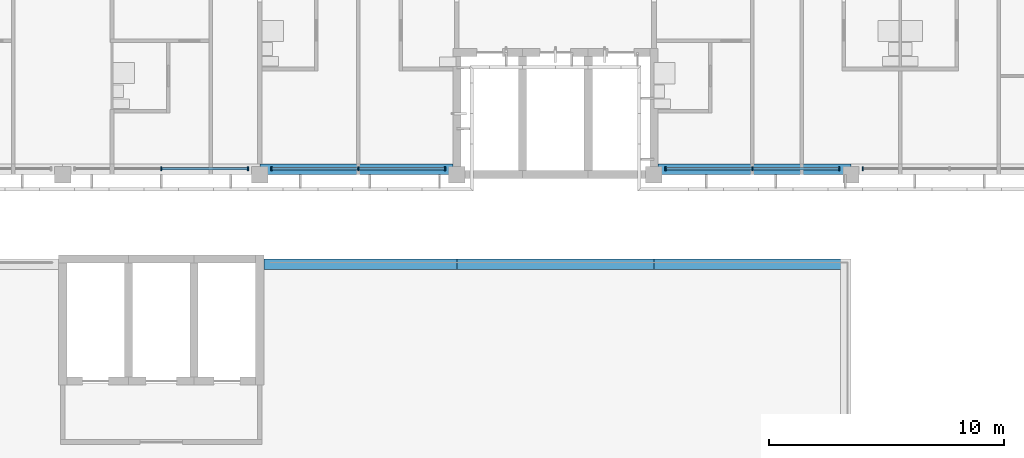
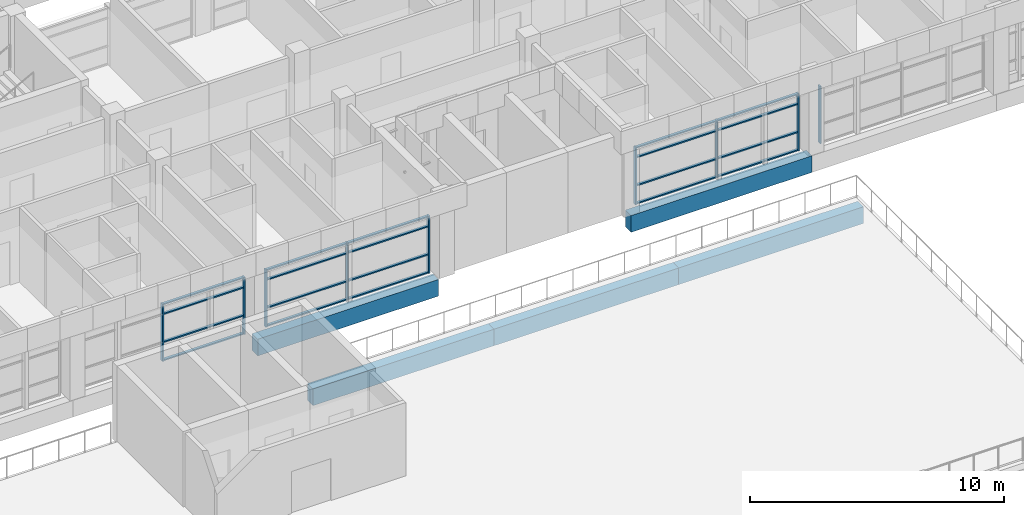
# One storey, part 10 of 46: 29 members, 5 beams, 4 elements without a shape of their own.
"""IFC4 building model written with IfcOpenShell, lengths in metres."""

from ifc_helpers import new_model, si_unit, direction, frame, origin, origin_2d, place, context, subcontext, project, spatial, rectangle, extrude, material, material_profile, profile_set, type_object, element, aggregate, save


model = new_model("IFC4")

# Units and contexts
model_context = context("Model", 3, precision=1e-05, world=origin(), true_north=direction((0.0, 1.0)))
body_context = subcontext(model_context, "Body", "Model", "MODEL_VIEW")
ifc_project = project(units=[si_unit("LENGTHUNIT", "METRE"), si_unit("AREAUNIT", "SQUARE_METRE"), si_unit("VOLUMEUNIT", "CUBIC_METRE"), si_unit("PLANEANGLEUNIT", "RADIAN"), si_unit("MASSUNIT", "GRAM", prefix="KILO")], contexts=[model_context])

# Site, building, storey
site_placement = place(None, origin())
site = spatial("IfcSite", under=ifc_project, at=site_placement, CompositionType="ELEMENT")
building_placement = place(site_placement, origin())
building = spatial("IfcBuilding", under=site, at=building_placement, Name="Bougainvillea Quay General Hospital", CompositionType="ELEMENT")
storey_placement = place(building_placement, frame((0.0, 0.0, 28.800048828125)))
storey = spatial("IfcBuildingStorey", under=building, at=storey_placement, Name="L06", CompositionType="ELEMENT", Elevation=28.800048828125)

# Curtain wall, members
ifc_material_1 = material(Name="Aluminium curtain wall system, powder-coated glazed", Category="aluminium")
curtain_wall_type = type_object("IfcCurtainWallType", Name="Unitised curtain wall CW-3730", PredefinedType="NOTDEFINED", material=ifc_material_1)
curtain_wall_1_placement = place(storey_placement, origin())
curtain_wall_1 = element("IfcCurtainWall", 1, at=curtain_wall_1_placement, inside=storey, type_object=curtain_wall_type, Name="CW-4200 07", PredefinedType="NOTDEFINED")
ifc_material_2 = material(Name="Aluminium mullion, powder-coated charcoal", Category="aluminium")
ifc_material_profile_1 = material_profile(ifc_material_2, rectangle(XDim=0.159912109375, YDim=0.06005859375, at=origin_2d()))
ifc_profile_set_1 = profile_set([ifc_material_profile_1], Name="Aluminium mullion, powder-coated charcoal")
member_type_1 = type_object("IfcMemberType", Name="Curtain wall mullion 160x60", PredefinedType="MULLION", material=ifc_profile_set_1)
member_1_placement = place(storey_placement, frame((138.60009765625, 140.64990234375, 0.0), z_axis=(0.0, 0.0, 1.0), x_axis=(0.0, 1.0, 0.0)))
member_1 = element("IfcMember", 2, at=member_1_placement, type_object=member_type_1, Name="CW-4200 mullion 2", PredefinedType="MULLION", context=body_context, shape_type="SweptSolid", body=[
    extrude(rectangle(XDim=0.159912109375, YDim=0.06005859375, at=origin_2d()), origin(), (0.0, 0.0, 1.0), 2.75),
])
member_2_placement = place(storey_placement, frame((142.300048828125, 140.64990234375, 0.0), z_axis=(0.0, 0.0, 1.0), x_axis=(0.0, 1.0, 0.0)))
member_2 = element("IfcMember", 3, at=member_2_placement, type_object=member_type_1, Name="CW-4200 mullion 3", PredefinedType="MULLION", context=body_context, shape_type="SweptSolid", body=[
    extrude(rectangle(XDim=0.159912109375, YDim=0.06005859375, at=origin_2d()), origin(), (0.0, 0.0, 1.0), 2.75),
])

curtain_wall_2_placement = place(storey_placement, origin())
curtain_wall_2 = element("IfcCurtainWall", 4, at=curtain_wall_2_placement, inside=storey, type_object=curtain_wall_type, Name="CW-4200 08", PredefinedType="NOTDEFINED")
member_3_placement = place(storey_placement, frame((143.300048828125, 140.64990234375, 0.0), z_axis=(0.0, 0.0, 1.0), x_axis=(0.0, 1.0, 0.0)))
member_3 = element("IfcMember", 5, at=member_3_placement, type_object=member_type_1, Name="CW-4200 mullion 1", PredefinedType="MULLION", context=body_context, shape_type="SweptSolid", body=[
    extrude(rectangle(XDim=0.159912109375, YDim=0.06005859375, at=origin_2d()), origin(), (0.0, 0.0, 1.0), 2.75),
])
member_4_placement = place(storey_placement, frame((147.0, 140.64990234375, 0.0), z_axis=(0.0, 0.0, 1.0), x_axis=(0.0, 1.0, 0.0)))
member_4 = element("IfcMember", 6, at=member_4_placement, type_object=member_type_1, Name="CW-4200 mullion 2", PredefinedType="MULLION", context=body_context, shape_type="SweptSolid", body=[
    extrude(rectangle(XDim=0.159912109375, YDim=0.06005859375, at=origin_2d()), origin(), (0.0, 0.0, 1.0), 2.75),
])
member_5_placement = place(storey_placement, frame((150.699951171875, 140.64990234375, 0.0), z_axis=(0.0, 0.0, 1.0), x_axis=(0.0, 1.0, 0.0)))
member_5 = element("IfcMember", 7, at=member_5_placement, type_object=member_type_1, Name="CW-4200 mullion 3", PredefinedType="MULLION", context=body_context, shape_type="SweptSolid", body=[
    extrude(rectangle(XDim=0.159912109375, YDim=0.06005859375, at=origin_2d()), origin(), (0.0, 0.0, 1.0), 2.75),
])

curtain_wall_3_placement = place(storey_placement, origin())
curtain_wall_3 = element("IfcCurtainWall", 8, at=curtain_wall_3_placement, inside=storey, type_object=curtain_wall_type, Name="CW-4200 00", PredefinedType="NOTDEFINED")
member_6_placement = place(storey_placement, frame((160.10009765625, 140.64990234375, 0.0), z_axis=(0.0, 0.0, 1.0), x_axis=(0.0, 1.0, 0.0)))
member_6 = element("IfcMember", 9, at=member_6_placement, type_object=member_type_1, Name="CW-4200 mullion 1", PredefinedType="MULLION", context=body_context, shape_type="SweptSolid", body=[
    extrude(rectangle(XDim=0.159912109375, YDim=0.06005859375, at=origin_2d()), origin(), (0.0, 0.0, 1.0), 2.75),
])
member_7_placement = place(storey_placement, frame((163.800048828125, 140.64990234375, 0.0), z_axis=(0.0, 0.0, 1.0), x_axis=(0.0, 1.0, 0.0)))
member_7 = element("IfcMember", 10, at=member_7_placement, type_object=member_type_1, Name="CW-4200 mullion 2", PredefinedType="MULLION", context=body_context, shape_type="SweptSolid", body=[
    extrude(rectangle(XDim=0.159912109375, YDim=0.06005859375, at=origin_2d()), origin(), (0.0, 0.0, 1.0), 2.75),
])
member_8_placement = place(storey_placement, frame((167.5, 140.64990234375, 0.0), z_axis=(0.0, 0.0, 1.0), x_axis=(0.0, 1.0, 0.0)))
member_8 = element("IfcMember", 11, at=member_8_placement, type_object=member_type_1, Name="CW-4200 mullion 3", PredefinedType="MULLION", context=body_context, shape_type="SweptSolid", body=[
    extrude(rectangle(XDim=0.159912109375, YDim=0.06005859375, at=origin_2d()), origin(), (0.0, 0.0, 1.0), 2.75),
])

# Curtain wall, member
curtain_wall_4_placement = place(storey_placement, origin())
curtain_wall_4 = element("IfcCurtainWall", 12, at=curtain_wall_4_placement, inside=storey, type_object=curtain_wall_type, Name="CW-4200 01", PredefinedType="NOTDEFINED")
member_9_placement = place(storey_placement, frame((168.5, 140.64990234375, 0.0), z_axis=(0.0, 0.0, 1.0), x_axis=(0.0, 1.0, 0.0)))
member_9 = element("IfcMember", 13, at=member_9_placement, type_object=member_type_1, Name="CW-4200 mullion 1", PredefinedType="MULLION", context=body_context, shape_type="SweptSolid", body=[
    extrude(rectangle(XDim=0.159912109375, YDim=0.06005859375, at=origin_2d()), origin(), (0.0, 0.0, 1.0), 2.75),
])
aggregate(curtain_wall_4, [member_9])

# Member
ifc_material_3 = material(Name="Aluminium transom, powder-coated charcoal", Category="aluminium")
ifc_material_profile_2 = material_profile(ifc_material_3, rectangle(XDim=0.1201171875, YDim=0.06005859375, at=origin_2d()))
ifc_profile_set_2 = profile_set([ifc_material_profile_2], Name="Aluminium transom, powder-coated charcoal")
member_type_2 = type_object("IfcMemberType", Name="Curtain wall transom 120x60", PredefinedType="USERDEFINED", material=ifc_profile_set_2)
member_10_placement = place(storey_placement, frame((138.6298828125, 140.64990234375, 0.030029296875), z_axis=(1.0, 0.0, 0.0), x_axis=(0.0, 1.0, 0.0)))
member_10 = element("IfcMember", 14, at=member_10_placement, type_object=member_type_2, Name="CW-4200 transom 2.1", ObjectType="TRANSOM", PredefinedType="USERDEFINED", context=body_context, shape_type="SweptSolid", body=[
    extrude(rectangle(XDim=0.1201171875, YDim=0.06005859375, at=origin_2d()), origin(), (0.0, 0.0, 1.0), 3.64013671875),
])

member_11_placement = place(storey_placement, frame((138.6298828125, 140.64990234375, 0.89990234375), z_axis=(1.0, 0.0, 0.0), x_axis=(0.0, 1.0, 0.0)))
member_11 = element("IfcMember", 15, at=member_11_placement, type_object=member_type_2, Name="CW-4200 transom 2.2", ObjectType="TRANSOM", PredefinedType="USERDEFINED", context=body_context, shape_type="SweptSolid", body=[
    extrude(rectangle(XDim=0.1201171875, YDim=0.06005859375, at=origin_2d()), origin(), (0.0, 0.0, 1.0), 3.64013671875),
])

member_12_placement = place(storey_placement, frame((138.6298828125, 140.64990234375, 2.25), z_axis=(1.0, 0.0, 0.0), x_axis=(0.0, 1.0, 0.0)))
member_12 = element("IfcMember", 16, at=member_12_placement, type_object=member_type_2, Name="CW-4200 transom 2.3", ObjectType="TRANSOM", PredefinedType="USERDEFINED", context=body_context, shape_type="SweptSolid", body=[
    extrude(rectangle(XDim=0.1201171875, YDim=0.06005859375, at=origin_2d()), origin(), (0.0, 0.0, 1.0), 3.64013671875),
])

member_13_placement = place(storey_placement, frame((138.6298828125, 140.64990234375, 2.719970703125), z_axis=(1.0, 0.0, 0.0), x_axis=(0.0, 1.0, 0.0)))
member_13 = element("IfcMember", 17, at=member_13_placement, type_object=member_type_2, Name="CW-4200 transom 2.4", ObjectType="TRANSOM", PredefinedType="USERDEFINED", context=body_context, shape_type="SweptSolid", body=[
    extrude(rectangle(XDim=0.1201171875, YDim=0.06005859375, at=origin_2d()), origin(), (0.0, 0.0, 1.0), 3.64013671875),
])

aggregate(curtain_wall_1, [member_1, member_2, member_10, member_11, member_12, member_13])

member_14_placement = place(storey_placement, frame((143.330078125, 140.64990234375, 0.030029296875), z_axis=(1.0, 0.0, 0.0), x_axis=(0.0, 1.0, 0.0)))
member_14 = element("IfcMember", 18, at=member_14_placement, type_object=member_type_2, Name="CW-4200 transom 1.1", ObjectType="TRANSOM", PredefinedType="USERDEFINED", context=body_context, shape_type="SweptSolid", body=[
    extrude(rectangle(XDim=0.1201171875, YDim=0.06005859375, at=origin_2d()), origin(), (0.0, 0.0, 1.0), 3.639892578125),
])

member_15_placement = place(storey_placement, frame((143.330078125, 140.64990234375, 0.89990234375), z_axis=(1.0, 0.0, 0.0), x_axis=(0.0, 1.0, 0.0)))
member_15 = element("IfcMember", 19, at=member_15_placement, type_object=member_type_2, Name="CW-4200 transom 1.2", ObjectType="TRANSOM", PredefinedType="USERDEFINED", context=body_context, shape_type="SweptSolid", body=[
    extrude(rectangle(XDim=0.1201171875, YDim=0.06005859375, at=origin_2d()), origin(), (0.0, 0.0, 1.0), 3.639892578125),
])

member_16_placement = place(storey_placement, frame((143.330078125, 140.64990234375, 2.25), z_axis=(1.0, 0.0, 0.0), x_axis=(0.0, 1.0, 0.0)))
member_16 = element("IfcMember", 20, at=member_16_placement, type_object=member_type_2, Name="CW-4200 transom 1.3", ObjectType="TRANSOM", PredefinedType="USERDEFINED", context=body_context, shape_type="SweptSolid", body=[
    extrude(rectangle(XDim=0.1201171875, YDim=0.06005859375, at=origin_2d()), origin(), (0.0, 0.0, 1.0), 3.639892578125),
])

member_17_placement = place(storey_placement, frame((143.330078125, 140.64990234375, 2.719970703125), z_axis=(1.0, 0.0, 0.0), x_axis=(0.0, 1.0, 0.0)))
member_17 = element("IfcMember", 21, at=member_17_placement, type_object=member_type_2, Name="CW-4200 transom 1.4", ObjectType="TRANSOM", PredefinedType="USERDEFINED", context=body_context, shape_type="SweptSolid", body=[
    extrude(rectangle(XDim=0.1201171875, YDim=0.06005859375, at=origin_2d()), origin(), (0.0, 0.0, 1.0), 3.639892578125),
])

member_18_placement = place(storey_placement, frame((147.030029296875, 140.64990234375, 0.030029296875), z_axis=(1.0, 0.0, 0.0), x_axis=(0.0, 1.0, 0.0)))
member_18 = element("IfcMember", 22, at=member_18_placement, type_object=member_type_2, Name="CW-4200 transom 2.1", ObjectType="TRANSOM", PredefinedType="USERDEFINED", context=body_context, shape_type="SweptSolid", body=[
    extrude(rectangle(XDim=0.1201171875, YDim=0.06005859375, at=origin_2d()), origin(), (0.0, 0.0, 1.0), 3.639892578125),
])

member_19_placement = place(storey_placement, frame((147.030029296875, 140.64990234375, 0.89990234375), z_axis=(1.0, 0.0, 0.0), x_axis=(0.0, 1.0, 0.0)))
member_19 = element("IfcMember", 23, at=member_19_placement, type_object=member_type_2, Name="CW-4200 transom 2.2", ObjectType="TRANSOM", PredefinedType="USERDEFINED", context=body_context, shape_type="SweptSolid", body=[
    extrude(rectangle(XDim=0.1201171875, YDim=0.06005859375, at=origin_2d()), origin(), (0.0, 0.0, 1.0), 3.639892578125),
])

member_20_placement = place(storey_placement, frame((147.030029296875, 140.64990234375, 2.25), z_axis=(1.0, 0.0, 0.0), x_axis=(0.0, 1.0, 0.0)))
member_20 = element("IfcMember", 24, at=member_20_placement, type_object=member_type_2, Name="CW-4200 transom 2.3", ObjectType="TRANSOM", PredefinedType="USERDEFINED", context=body_context, shape_type="SweptSolid", body=[
    extrude(rectangle(XDim=0.1201171875, YDim=0.06005859375, at=origin_2d()), origin(), (0.0, 0.0, 1.0), 3.639892578125),
])

member_21_placement = place(storey_placement, frame((147.030029296875, 140.64990234375, 2.719970703125), z_axis=(1.0, 0.0, 0.0), x_axis=(0.0, 1.0, 0.0)))
member_21 = element("IfcMember", 25, at=member_21_placement, type_object=member_type_2, Name="CW-4200 transom 2.4", ObjectType="TRANSOM", PredefinedType="USERDEFINED", context=body_context, shape_type="SweptSolid", body=[
    extrude(rectangle(XDim=0.1201171875, YDim=0.06005859375, at=origin_2d()), origin(), (0.0, 0.0, 1.0), 3.639892578125),
])

aggregate(curtain_wall_2, [member_3, member_4, member_5, member_14, member_15, member_16, member_17, member_18, member_19, member_20, member_21])

member_22_placement = place(storey_placement, frame((160.1298828125, 140.64990234375, 0.030029296875), z_axis=(1.0, 0.0, 0.0), x_axis=(0.0, 1.0, 0.0)))
member_22 = element("IfcMember", 26, at=member_22_placement, type_object=member_type_2, Name="CW-4200 transom 1.1", ObjectType="TRANSOM", PredefinedType="USERDEFINED", context=body_context, shape_type="SweptSolid", body=[
    extrude(rectangle(XDim=0.1201171875, YDim=0.06005859375, at=origin_2d()), origin(), (0.0, 0.0, 1.0), 3.64013671875),
])

member_23_placement = place(storey_placement, frame((160.1298828125, 140.64990234375, 0.89990234375), z_axis=(1.0, 0.0, 0.0), x_axis=(0.0, 1.0, 0.0)))
member_23 = element("IfcMember", 27, at=member_23_placement, type_object=member_type_2, Name="CW-4200 transom 1.2", ObjectType="TRANSOM", PredefinedType="USERDEFINED", context=body_context, shape_type="SweptSolid", body=[
    extrude(rectangle(XDim=0.1201171875, YDim=0.06005859375, at=origin_2d()), origin(), (0.0, 0.0, 1.0), 3.64013671875),
])

member_24_placement = place(storey_placement, frame((160.1298828125, 140.64990234375, 2.25), z_axis=(1.0, 0.0, 0.0), x_axis=(0.0, 1.0, 0.0)))
member_24 = element("IfcMember", 28, at=member_24_placement, type_object=member_type_2, Name="CW-4200 transom 1.3", ObjectType="TRANSOM", PredefinedType="USERDEFINED", context=body_context, shape_type="SweptSolid", body=[
    extrude(rectangle(XDim=0.1201171875, YDim=0.06005859375, at=origin_2d()), origin(), (0.0, 0.0, 1.0), 3.64013671875),
])

member_25_placement = place(storey_placement, frame((160.1298828125, 140.64990234375, 2.719970703125), z_axis=(1.0, 0.0, 0.0), x_axis=(0.0, 1.0, 0.0)))
member_25 = element("IfcMember", 29, at=member_25_placement, type_object=member_type_2, Name="CW-4200 transom 1.4", ObjectType="TRANSOM", PredefinedType="USERDEFINED", context=body_context, shape_type="SweptSolid", body=[
    extrude(rectangle(XDim=0.1201171875, YDim=0.06005859375, at=origin_2d()), origin(), (0.0, 0.0, 1.0), 3.64013671875),
])

member_26_placement = place(storey_placement, frame((163.830078125, 140.64990234375, 0.030029296875), z_axis=(1.0, 0.0, 0.0), x_axis=(0.0, 1.0, 0.0)))
member_26 = element("IfcMember", 30, at=member_26_placement, type_object=member_type_2, Name="CW-4200 transom 2.1", ObjectType="TRANSOM", PredefinedType="USERDEFINED", context=body_context, shape_type="SweptSolid", body=[
    extrude(rectangle(XDim=0.1201171875, YDim=0.06005859375, at=origin_2d()), origin(), (0.0, 0.0, 1.0), 3.639892578125),
])

member_27_placement = place(storey_placement, frame((163.830078125, 140.64990234375, 0.89990234375), z_axis=(1.0, 0.0, 0.0), x_axis=(0.0, 1.0, 0.0)))
member_27 = element("IfcMember", 31, at=member_27_placement, type_object=member_type_2, Name="CW-4200 transom 2.2", ObjectType="TRANSOM", PredefinedType="USERDEFINED", context=body_context, shape_type="SweptSolid", body=[
    extrude(rectangle(XDim=0.1201171875, YDim=0.06005859375, at=origin_2d()), origin(), (0.0, 0.0, 1.0), 3.639892578125),
])

member_28_placement = place(storey_placement, frame((163.830078125, 140.64990234375, 2.25), z_axis=(1.0, 0.0, 0.0), x_axis=(0.0, 1.0, 0.0)))
member_28 = element("IfcMember", 32, at=member_28_placement, type_object=member_type_2, Name="CW-4200 transom 2.3", ObjectType="TRANSOM", PredefinedType="USERDEFINED", context=body_context, shape_type="SweptSolid", body=[
    extrude(rectangle(XDim=0.1201171875, YDim=0.06005859375, at=origin_2d()), origin(), (0.0, 0.0, 1.0), 3.639892578125),
])

member_29_placement = place(storey_placement, frame((163.830078125, 140.64990234375, 2.719970703125), z_axis=(1.0, 0.0, 0.0), x_axis=(0.0, 1.0, 0.0)))
member_29 = element("IfcMember", 33, at=member_29_placement, type_object=member_type_2, Name="CW-4200 transom 2.4", ObjectType="TRANSOM", PredefinedType="USERDEFINED", context=body_context, shape_type="SweptSolid", body=[
    extrude(rectangle(XDim=0.1201171875, YDim=0.06005859375, at=origin_2d()), origin(), (0.0, 0.0, 1.0), 3.639892578125),
])

aggregate(curtain_wall_3, [member_6, member_7, member_8, member_22, member_23, member_24, member_25, member_26, member_27, member_28, member_29])

# Beams
ifc_material_4 = material(Name="Concrete C40", Category="concrete")
ifc_material_profile_3 = material_profile(ifc_material_4, rectangle(XDim=0.449951171875, YDim=0.800048828125, at=origin_2d()))
ifc_profile_set_3 = profile_set([ifc_material_profile_3], Name="Concrete C40")
beam_type = type_object("IfcBeamType", Name="RC BEAM 450x800 C40", PredefinedType="BEAM", material=ifc_profile_set_3)
beam_1_placement = place(storey_placement, frame((142.800048828125, 140.625, -0.699951171875), z_axis=(1.0, 0.0, 0.0), x_axis=(0.0, 1.0, 0.0)))
element("IfcBeam", 34, at=beam_1_placement, inside=storey, type_object=beam_type, Name="Edge beam L06", PredefinedType="BEAM", context=body_context, shape_type="SweptSolid", body=[
    extrude(rectangle(XDim=0.449951171875, YDim=0.800048828125, at=origin_2d()), origin(), (0.0, 0.0, 1.0), 8.224853515625),
])
beam_2_placement = place(storey_placement, frame((159.77490234375, 140.625, -0.699951171875), z_axis=(1.0, 0.0, 0.0), x_axis=(0.0, 1.0, 0.0)))
element("IfcBeam", 35, at=beam_2_placement, inside=storey, type_object=beam_type, Name="Edge beam L06", PredefinedType="BEAM", context=body_context, shape_type="SweptSolid", body=[
    extrude(rectangle(XDim=0.449951171875, YDim=0.800048828125, at=origin_2d()), origin(), (0.0, 0.0, 1.0), 8.22509765625),
])
beam_3_placement = place(storey_placement, frame((168.0, 136.574951171875, -0.699951171875), z_axis=(-1.0, 0.0, 0.0), x_axis=(0.0, -1.0, 0.0)))
element("IfcBeam", 36, at=beam_3_placement, inside=storey, type_object=beam_type, Name="Edge beam L06", PredefinedType="BEAM", context=body_context, shape_type="SweptSolid", body=[
    extrude(rectangle(XDim=0.449951171875, YDim=0.800048828125, at=origin_2d()), origin(), (0.0, 0.0, 1.0), 8.39990234375),
])
beam_4_placement = place(storey_placement, frame((159.60009765625, 136.574951171875, -0.699951171875), z_axis=(-1.0, 0.0, 0.0), x_axis=(0.0, -1.0, 0.0)))
element("IfcBeam", 37, at=beam_4_placement, inside=storey, type_object=beam_type, Name="Edge beam L06", PredefinedType="BEAM", context=body_context, shape_type="SweptSolid", body=[
    extrude(rectangle(XDim=0.449951171875, YDim=0.800048828125, at=origin_2d()), origin(), (0.0, 0.0, 1.0), 8.400146484375),
])
beam_5_placement = place(storey_placement, frame((151.199951171875, 136.574951171875, -0.699951171875), z_axis=(-1.0, 0.0, 0.0), x_axis=(0.0, -1.0, 0.0)))
element("IfcBeam", 38, at=beam_5_placement, inside=storey, type_object=beam_type, Name="Edge beam L06", PredefinedType="BEAM", context=body_context, shape_type="SweptSolid", body=[
    extrude(rectangle(XDim=0.449951171875, YDim=0.800048828125, at=origin_2d()), origin(), (0.0, 0.0, 1.0), 8.224853515625),
])

save(model, "model.ifc")
